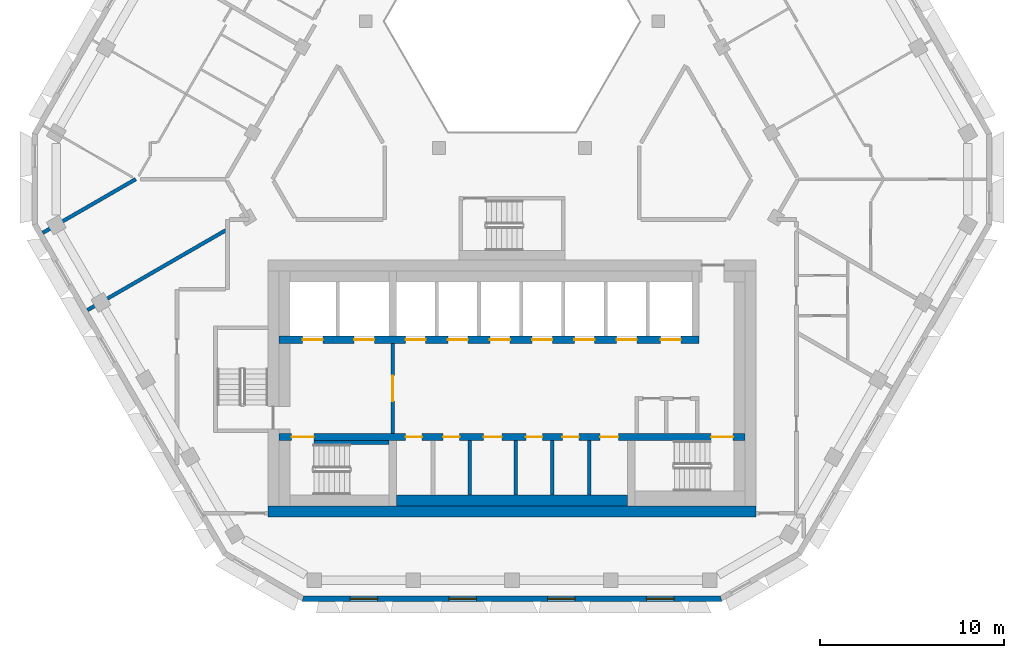
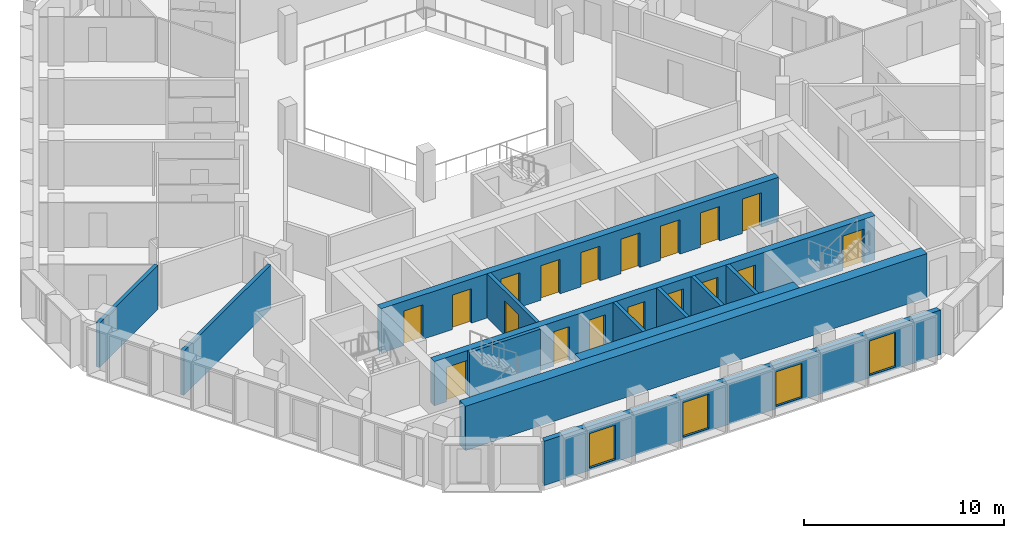
# One storey, part 3 of 15: 18 doors, 13 walls, 4 windows, 22 openings.
"""IFC4 building model written with IfcOpenShell, lengths in metres."""

from ifc_helpers import new_model, si_unit, direction, frame, frame_2d, origin, place, context, subcontext, project, spatial, polyline, rectangle, outline, extrude, material, layer, layer_set, type_object, element, fill, save


model = new_model("IFC4")

# Units and contexts
model_context = context("Model", 3, precision=1e-05, world=origin(), true_north=direction((0.0, 1.0)))
body_context = subcontext(model_context, "Body", "Model", "MODEL_VIEW")
ifc_project = project(units=[si_unit("LENGTHUNIT", "METRE"), si_unit("AREAUNIT", "SQUARE_METRE"), si_unit("VOLUMEUNIT", "CUBIC_METRE"), si_unit("PLANEANGLEUNIT", "RADIAN"), si_unit("MASSUNIT", "GRAM", prefix="KILO")], contexts=[model_context])

# Site, building, storey
site_placement = place(None, origin())
site = spatial("IfcSite", under=ifc_project, at=site_placement, CompositionType="ELEMENT")
building_placement = place(site_placement, origin())
building = spatial("IfcBuilding", under=site, at=building_placement, Name="Beryl Residences", CompositionType="ELEMENT")
storey_placement = place(building_placement, frame((0.0, 0.0, 169.199951171875)))
storey = spatial("IfcBuildingStorey", under=building, at=storey_placement, Name="L51", CompositionType="ELEMENT", Elevation=169.199951171875)

# Wall, openings, windows
ifc_material_1 = material(Name="Composite metal panel with mineral wool insulation")
ifc_layer_1 = layer(ifc_material_1, 0.300048828125)
ifc_layer_set_1 = layer_set([ifc_layer_1], Name="ES1 pale metal composite panel wall 300 mm")
wall_type_1 = type_object("IfcWallType", Name="ES1 pale metal composite panel wall 300 mm", PredefinedType="SOLIDWALL", material=ifc_layer_set_1)
wall_1_placement = place(storey_placement, frame((-11.430908203125, -23.449951171875, 0.0), z_axis=(0.0, 0.0, 1.0), x_axis=(1.0, 0.0, 0.0)))
wall_1 = element("IfcWall", 1, at=wall_1_placement, inside=storey, type_object=wall_type_1, Name="ES1 external wall L51 S", PredefinedType="SOLIDWALL", context=body_context, shape_type="SweptSolid", body=[
    extrude(outline(polyline([(0.0, -0.14990234375), (22.86181640625, -0.14990234375), (22.781494140625, 0.14990234375), (0.080322265625, 0.14990234375), (0.0, -0.14990234375)])), origin(), (0.0, 0.0, 1.0), 2.699951171875),
])
opening_1_placement = place(wall_1_placement, frame((2.60595703125, 0.0, 0.14990234375)))
opening_1 = element("IfcOpeningElement", 2, at=opening_1_placement, cuts=wall_1, Name="Opening W1", PredefinedType="OPENING", context=body_context, shape_type="SweptSolid", body=[
    extrude(rectangle(XDim=1.5, YDim=2.10009765625, at=frame_2d((0.75, 1.050048828125))), frame((0.0, 0.159912109375, 0.0), z_axis=(0.0, -1.0, 0.0), x_axis=(1.0, 0.0, 0.0)), (0.0, 0.0, 1.0), 0.320068359375),
])
opening_2_placement = place(wall_1_placement, frame((7.989990234375, 0.0, 0.14990234375)))
opening_2 = element("IfcOpeningElement", 3, at=opening_2_placement, cuts=wall_1, Name="Opening W1", PredefinedType="OPENING", context=body_context, shape_type="SweptSolid", body=[
    extrude(rectangle(XDim=1.5, YDim=2.10009765625, at=frame_2d((0.75, 1.050048828125))), frame((0.0, 0.159912109375, 0.0), z_axis=(0.0, -1.0, 0.0), x_axis=(1.0, 0.0, 0.0)), (0.0, 0.0, 1.0), 0.320068359375),
])
opening_3_placement = place(wall_1_placement, frame((13.3740234375, 0.0, 0.14990234375)))
opening_3 = element("IfcOpeningElement", 4, at=opening_3_placement, cuts=wall_1, Name="Opening W1", PredefinedType="OPENING", context=body_context, shape_type="SweptSolid", body=[
    extrude(rectangle(XDim=1.5, YDim=2.10009765625, at=frame_2d((0.75, 1.050048828125))), frame((0.0, 0.159912109375, 0.0), z_axis=(0.0, -1.0, 0.0), x_axis=(1.0, 0.0, 0.0)), (0.0, 0.0, 1.0), 0.320068359375),
])
opening_4_placement = place(wall_1_placement, frame((18.758056640625, 0.0, 0.14990234375)))
opening_4 = element("IfcOpeningElement", 5, at=opening_4_placement, cuts=wall_1, Name="Opening W1", PredefinedType="OPENING", context=body_context, shape_type="SweptSolid", body=[
    extrude(rectangle(XDim=1.5, YDim=2.10009765625, at=frame_2d((0.75, 1.050048828125))), frame((0.0, 0.159912109375, 0.0), z_axis=(0.0, -1.0, 0.0), x_axis=(1.0, 0.0, 0.0)), (0.0, 0.0, 1.0), 0.320068359375),
])
ifc_material_2 = material(Name="Aluminium and clear glass", Category="aluminium")
window_type = type_object("IfcWindowType", Name="W1 cell window 1500 x 2100 mm", PartitioningType="SINGLE_PANEL", PredefinedType="WINDOW", material=ifc_material_2)
window_1_placement = place(opening_1_placement, origin())
window_1 = element("IfcWindow", 6, at=window_1_placement, inside=storey, type_object=window_type, Name="W1 window L51 S 2", OverallHeight=2.10009765625, OverallWidth=1.5, PartitioningType="SINGLE_PANEL", PredefinedType="WINDOW", context=body_context, shape_type="SweptSolid", body=[
    extrude(rectangle(XDim=1.5, YDim=2.10009765625, at=frame_2d((0.75, 1.050048828125))), frame((0.0, 0.030029296875, 0.0), z_axis=(0.0, -1.0, 0.0), x_axis=(1.0, 0.0, 0.0)), (0.0, 0.0, 1.0), 0.06005859375),
])
fill(opening_1, window_1)
window_2_placement = place(opening_2_placement, origin())
window_2 = element("IfcWindow", 7, at=window_2_placement, inside=storey, type_object=window_type, Name="W1 window L51 S 4", OverallHeight=2.10009765625, OverallWidth=1.5, PartitioningType="SINGLE_PANEL", PredefinedType="WINDOW", context=body_context, shape_type="SweptSolid", body=[
    extrude(rectangle(XDim=1.5, YDim=2.10009765625, at=frame_2d((0.75, 1.050048828125))), frame((0.0, 0.030029296875, 0.0), z_axis=(0.0, -1.0, 0.0), x_axis=(1.0, 0.0, 0.0)), (0.0, 0.0, 1.0), 0.06005859375),
])
fill(opening_2, window_2)
window_3_placement = place(opening_3_placement, origin())
window_3 = element("IfcWindow", 8, at=window_3_placement, inside=storey, type_object=window_type, Name="W1 window L51 S 6", OverallHeight=2.10009765625, OverallWidth=1.5, PartitioningType="SINGLE_PANEL", PredefinedType="WINDOW", context=body_context, shape_type="SweptSolid", body=[
    extrude(rectangle(XDim=1.5, YDim=2.10009765625, at=frame_2d((0.75, 1.050048828125))), frame((0.0, 0.030029296875, 0.0), z_axis=(0.0, -1.0, 0.0), x_axis=(1.0, 0.0, 0.0)), (0.0, 0.0, 1.0), 0.06005859375),
])
fill(opening_3, window_3)
window_4_placement = place(opening_4_placement, origin())
window_4 = element("IfcWindow", 9, at=window_4_placement, inside=storey, type_object=window_type, Name="W1 window L51 S 8", OverallHeight=2.10009765625, OverallWidth=1.5, PartitioningType="SINGLE_PANEL", PredefinedType="WINDOW", context=body_context, shape_type="SweptSolid", body=[
    extrude(rectangle(XDim=1.5, YDim=2.10009765625, at=frame_2d((0.75, 1.050048828125))), frame((0.0, 0.030029296875, 0.0), z_axis=(0.0, -1.0, 0.0), x_axis=(1.0, 0.0, 0.0)), (0.0, 0.0, 1.0), 0.06005859375),
])
fill(opening_4, window_4)

# Wall, opening, door
ifc_material_3 = material(Name="Concrete masonry", Category="masonry")
ifc_layer_2 = layer(ifc_material_3, 0.199951171875)
ifc_layer_set_2 = layer_set([ifc_layer_2], Name="PT13 lobby wall 200 mm")
wall_type_2 = type_object("IfcWallType", Name="PT13 lobby wall 200 mm", PredefinedType="PARTITIONING", material=ifc_layer_set_2)
wall_2_placement = place(storey_placement, frame((-6.5, -14.449951171875, 0.0), z_axis=(0.0, 0.0, 1.0), x_axis=(0.0, 1.0, 0.0)))
wall_2 = element("IfcWall", 10, at=wall_2_placement, inside=storey, type_object=wall_type_2, Name="Lobby wall 12", PredefinedType="PARTITIONING", context=body_context, shape_type="SweptSolid", body=[
    extrude(rectangle(XDim=4.89990234375, YDim=0.199951171875, at=frame_2d((2.449951171875, 0.0))), origin(), (0.0, 0.0, 1.0), 2.699951171875),
])
opening_5_placement = place(wall_2_placement, frame((3.14990234375, 0.0, 0.0), z_axis=(0.0, 0.0, 1.0), x_axis=(-1.0, 0.0, 0.0)))
opening_5 = element("IfcOpeningElement", 11, at=opening_5_placement, cuts=wall_2, Name="Opening FD-FFL", PredefinedType="OPENING", context=body_context, shape_type="SweptSolid", body=[
    extrude(rectangle(XDim=1.39990234375, YDim=2.10009765625, at=frame_2d((0.699951171875, 1.050048828125))), frame((0.0, 0.10986328125, 0.0), z_axis=(0.0, -1.0, 0.0), x_axis=(1.0, 0.0, 0.0)), (0.0, 0.0, 1.0), 0.219970703125),
])
ifc_material_4 = material(Name="Steel door leaf in steel frame", Category="steel")
door_type_1 = type_object("IfcDoorType", Name="D5 lobby door 1400 x 2100 mm", OperationType="DOUBLE_DOOR_SINGLE_SWING", PredefinedType="DOOR", material=ifc_material_4)
door_1_placement = place(opening_5_placement, origin())
door_1 = element("IfcDoor", 12, at=door_1_placement, inside=storey, type_object=door_type_1, Name="Door FD-FFL L51 001", OperationType="DOUBLE_DOOR_SINGLE_SWING", OverallHeight=2.10009765625, OverallWidth=1.39990234375, PredefinedType="DOOR", context=body_context, shape_type="SweptSolid", body=[
    extrude(rectangle(XDim=1.39990234375, YDim=2.10009765625, at=frame_2d((0.699951171875, 1.050048828125))), frame((0.0, 0.02490234375, 0.0), z_axis=(0.0, -1.0, 0.0), x_axis=(1.0, 0.0, 0.0)), (0.0, 0.0, 1.0), 0.050048828125),
])
fill(opening_5, door_1)

# Walls
ifc_material_5 = material(Name="Acoustic double stud gypsum board wall")
ifc_layer_3 = layer(ifc_material_5, 0.199951171875)
ifc_layer_set_3 = layer_set([ifc_layer_3], Name="PT3 party wall 200 mm acoustic double stud")
wall_type_3 = type_object("IfcWallType", Name="PT3 party wall 200 mm acoustic double stud", PredefinedType="PARTITIONING", material=ifc_layer_set_3)
wall_3_placement = place(storey_placement, frame((-23.1298828125, -7.737060546875, 0.0), z_axis=(0.0, 0.0, 1.0), x_axis=(0.86598451299, 0.500070818246, 0.0)))
element("IfcWall", 13, at=wall_3_placement, inside=storey, type_object=wall_type_3, Name="Wall PT3 L51 010", PredefinedType="PARTITIONING", context=body_context, shape_type="SweptSolid", body=[
    extrude(rectangle(XDim=8.695068359375, YDim=0.199951171875, at=frame_2d((4.34765625, 0.0))), origin(), (0.0, 0.0, 1.0), 2.699951171875),
])
wall_4_placement = place(storey_placement, frame((-25.56298828125, -3.52392578125, 0.0), z_axis=(0.0, 0.0, 1.0), x_axis=(0.866128586522, 0.499821239653, 0.0)))
element("IfcWall", 14, at=wall_4_placement, inside=storey, type_object=wall_type_3, Name="Wall PT3 L51 011", PredefinedType="PARTITIONING", context=body_context, shape_type="SweptSolid", body=[
    extrude(rectangle(XDim=5.847900390625, YDim=0.199951171875, at=frame_2d((2.923828125, 0.0))), origin(), (0.0, 0.0, 1.0), 2.699951171875),
])
ifc_material_6 = material(Name="Concrete C40/50", Category="concrete")
ifc_layer_4 = layer(ifc_material_6, 0.199951171875)
ifc_layer_set_4 = layer_set([ifc_layer_4], Name="PT5 stair enclosure wall 200 mm reinforced concrete C40/50")
wall_type_4 = type_object("IfcWallType", Name="PT5 stair enclosure wall 200 mm reinforced concrete C40/50", PredefinedType="SOLIDWALL", material=ifc_layer_set_4)
wall_5_placement = place(storey_placement, frame((-10.800048828125, -14.949951171875, 0.0), z_axis=(0.0, 0.0, 1.0), x_axis=(1.0, 0.0, 0.0)))
element("IfcWall", 15, at=wall_5_placement, inside=storey, type_object=wall_type_4, Name="Stair wall 10", PredefinedType="SOLIDWALL", context=body_context, shape_type="SweptSolid", body=[
    extrude(rectangle(XDim=4.10009765625, YDim=0.199951171875, at=frame_2d((2.050048828125, 0.0))), origin(), (0.0, 0.0, 1.0), 2.699951171875),
])
ifc_material_7 = material(Name="Concrete masonry", Category="masonry")
ifc_layer_5 = layer(ifc_material_7, 0.199951171875)
ifc_layer_set_5 = layer_set([ifc_layer_5], Name="PT8-200 service room wall 200 mm")
wall_type_5 = type_object("IfcWallType", Name="PT8-200 service room wall 200 mm", PredefinedType="PARTITIONING", material=ifc_layer_set_5)
for number, where, z_axis, x_axis, name in (
    (16, (-2.300048828125, -17.800048828125, 0.0), (0.0, 0.0, 1.0), (0.0, 1.0, 0.0), "Core room wall 17"),
    (17, (0.199951171875, -17.800048828125, 0.0), (0.0, 0.0, 1.0), (0.0, 1.0, 0.0), "Core room wall 19"),
    (18, (2.199951171875, -17.800048828125, 0.0), (0.0, 0.0, 1.0), (0.0, 1.0, 0.0), "Core room wall 21"),
    (19, (4.199951171875, -17.800048828125, 0.0), (0.0, 0.0, 1.0), (0.0, 1.0, 0.0), "Core room wall 23"),
):
    element("IfcWall", number, at=place(storey_placement, frame(where, z_axis=z_axis, x_axis=x_axis)), inside=storey, type_object=wall_type_5, Name=name, PredefinedType="PARTITIONING", context=body_context, shape_type="SweptSolid", body=[
        extrude(rectangle(XDim=2.949951171875, YDim=0.199951171875, at=frame_2d((1.47509765625, 0.0))), origin(), (0.0, 0.0, 1.0), 2.699951171875),
    ])
ifc_material_8 = material(Name="Concrete masonry", Category="masonry")
ifc_layer_6 = layer(ifc_material_8, 0.60009765625)
ifc_layer_set_6 = layer_set([ifc_layer_6], Name="PT8-600 service room wall 600 mm")
wall_type_6 = type_object("IfcWallType", Name="PT8-600 service room wall 600 mm", PredefinedType="PARTITIONING", material=ifc_layer_set_6)
wall_6_placement = place(storey_placement, frame((-6.300048828125, -18.10009765625, 0.0), z_axis=(0.0, 0.0, 1.0), x_axis=(1.0, 0.0, 0.0)))
element("IfcWall", 20, at=wall_6_placement, inside=storey, type_object=wall_type_6, Name="Core room wall 13", PredefinedType="PARTITIONING", context=body_context, shape_type="SweptSolid", body=[
    extrude(rectangle(XDim=12.60009765625, YDim=0.60009765625, at=frame_2d((6.300048828125, 0.0))), origin(), (0.0, 0.0, 1.0), 2.699951171875),
])
ifc_material_9 = material(Name="Concrete C50/60", Category="concrete")
ifc_layer_7 = layer(ifc_material_9, 0.60009765625)
ifc_layer_set_7 = layer_set([ifc_layer_7], Name="SW4 core outer wall 600 mm C50/60")
wall_type_7 = type_object("IfcWallType", Name="SW4 core outer wall 600 mm C50/60", PredefinedType="SHEAR", material=ifc_layer_set_7)
wall_7_placement = place(storey_placement, frame((-13.300048828125, -18.699951171875, 0.0), z_axis=(0.0, 0.0, 1.0), x_axis=(1.0, 0.0, 0.0)))
element("IfcWall", 21, at=wall_7_placement, inside=storey, type_object=wall_type_7, Name="Core wall S L51", PredefinedType="SHEAR", context=body_context, shape_type="SweptSolid", body=[
    extrude(rectangle(XDim=26.60009765625, YDim=0.60009765625, at=frame_2d((13.300048828125, 0.0))), origin(), (0.0, 0.0, 1.0), 2.699951171875),
])

# Wall, openings, doors
ifc_material_10 = material(Name="Concrete C50/60", Category="concrete")
ifc_layer_8 = layer(ifc_material_10, 0.39990234375)
ifc_layer_set_8 = layer_set([ifc_layer_8], Name="SW9 core internal wall 400 mm C50/60")
wall_type_8 = type_object("IfcWallType", Name="SW9 core internal wall 400 mm C50/60", PredefinedType="SHEAR", material=ifc_layer_set_8)
wall_8_placement = place(storey_placement, frame((-12.699951171875, -14.64990234375, 0.0), z_axis=(0.0, 0.0, 1.0), x_axis=(1.0, 0.0, 0.0)))
wall_8 = element("IfcWall", 22, at=wall_8_placement, inside=storey, type_object=wall_type_8, Name="Core wall SP1 L51", PredefinedType="SHEAR", context=body_context, shape_type="SweptSolid", body=[
    extrude(rectangle(XDim=25.39990234375, YDim=0.39990234375, at=frame_2d((12.699951171875, 0.0))), origin(), (0.0, 0.0, 1.0), 2.699951171875),
])
opening_6_placement = place(wall_8_placement, frame((1.89990234375, 0.0, 0.0), z_axis=(0.0, 0.0, 1.0), x_axis=(-1.0, 0.0, 0.0)))
opening_6 = element("IfcOpeningElement", 23, at=opening_6_placement, cuts=wall_8, Name="Opening SD-1", PredefinedType="OPENING", context=body_context, shape_type="SweptSolid", body=[
    extrude(rectangle(XDim=1.199951171875, YDim=2.10009765625, at=frame_2d((0.60009765625, 1.050048828125))), frame((0.0, 0.2099609375, 0.0), z_axis=(0.0, -1.0, 0.0), x_axis=(1.0, 0.0, 0.0)), (0.0, 0.0, 1.0), 0.419921875),
])
opening_7_placement = place(wall_8_placement, frame((24.75, 0.0, 0.0), z_axis=(0.0, 0.0, 1.0), x_axis=(-1.0, 0.0, 0.0)))
opening_7 = element("IfcOpeningElement", 24, at=opening_7_placement, cuts=wall_8, Name="Opening SD-3", PredefinedType="OPENING", context=body_context, shape_type="SweptSolid", body=[
    extrude(rectangle(XDim=1.199951171875, YDim=2.10009765625, at=frame_2d((0.60009765625, 1.050048828125))), frame((0.0, 0.2099609375, 0.0), z_axis=(0.0, -1.0, 0.0), x_axis=(1.0, 0.0, 0.0)), (0.0, 0.0, 1.0), 0.419921875),
])
opening_8_placement = place(wall_8_placement, frame((7.7998046875, 0.0, 0.0), z_axis=(0.0, 0.0, 1.0), x_axis=(-1.0, 0.0, 0.0)))
opening_8 = element("IfcOpeningElement", 25, at=opening_8_placement, cuts=wall_8, Name="Opening CD-D-S1-900", PredefinedType="OPENING", context=body_context, shape_type="SweptSolid", body=[
    extrude(rectangle(XDim=0.89990234375, YDim=2.10009765625, at=frame_2d((0.449951171875, 1.050048828125))), frame((0.0, 0.2099609375, 0.0), z_axis=(0.0, -1.0, 0.0), x_axis=(1.0, 0.0, 0.0)), (0.0, 0.0, 1.0), 0.419921875),
])
opening_9_placement = place(wall_8_placement, frame((9.849853515625, 0.0, 0.0), z_axis=(0.0, 0.0, 1.0), x_axis=(-1.0, 0.0, 0.0)))
opening_9 = element("IfcOpeningElement", 26, at=opening_9_placement, cuts=wall_8, Name="Opening CD-D-S2-900", PredefinedType="OPENING", context=body_context, shape_type="SweptSolid", body=[
    extrude(rectangle(XDim=0.89990234375, YDim=2.10009765625, at=frame_2d((0.449951171875, 1.050048828125))), frame((0.0, 0.2099609375, 0.0), z_axis=(0.0, -1.0, 0.0), x_axis=(1.0, 0.0, 0.0)), (0.0, 0.0, 1.0), 0.419921875),
])
opening_10_placement = place(wall_8_placement, frame((12.14990234375, 0.0, 0.0), z_axis=(0.0, 0.0, 1.0), x_axis=(-1.0, 0.0, 0.0)))
opening_10 = element("IfcOpeningElement", 27, at=opening_10_placement, cuts=wall_8, Name="Opening CD-D-S3", PredefinedType="OPENING", context=body_context, shape_type="SweptSolid", body=[
    extrude(rectangle(XDim=1.0, YDim=2.10009765625, at=frame_2d((0.5, 1.050048828125))), frame((0.0, 0.2099609375, 0.0), z_axis=(0.0, -1.0, 0.0), x_axis=(1.0, 0.0, 0.0)), (0.0, 0.0, 1.0), 0.419921875),
])
opening_11_placement = place(wall_8_placement, frame((14.349853515625, 0.0, 0.0), z_axis=(0.0, 0.0, 1.0), x_axis=(-1.0, 0.0, 0.0)))
opening_11 = element("IfcOpeningElement", 28, at=opening_11_placement, cuts=wall_8, Name="Opening CD-D-S4-900", PredefinedType="OPENING", context=body_context, shape_type="SweptSolid", body=[
    extrude(rectangle(XDim=0.89990234375, YDim=2.10009765625, at=frame_2d((0.449951171875, 1.050048828125))), frame((0.0, 0.2099609375, 0.0), z_axis=(0.0, -1.0, 0.0), x_axis=(1.0, 0.0, 0.0)), (0.0, 0.0, 1.0), 0.419921875),
])
opening_12_placement = place(wall_8_placement, frame((16.349853515625, 0.0, 0.0), z_axis=(0.0, 0.0, 1.0), x_axis=(-1.0, 0.0, 0.0)))
opening_12 = element("IfcOpeningElement", 29, at=opening_12_placement, cuts=wall_8, Name="Opening CD-D-S5-900", PredefinedType="OPENING", context=body_context, shape_type="SweptSolid", body=[
    extrude(rectangle(XDim=0.89990234375, YDim=2.10009765625, at=frame_2d((0.449951171875, 1.050048828125))), frame((0.0, 0.2099609375, 0.0), z_axis=(0.0, -1.0, 0.0), x_axis=(1.0, 0.0, 0.0)), (0.0, 0.0, 1.0), 0.419921875),
])
opening_13_placement = place(wall_8_placement, frame((18.5, 0.0, 0.0), z_axis=(0.0, 0.0, 1.0), x_axis=(-1.0, 0.0, 0.0)))
opening_13 = element("IfcOpeningElement", 30, at=opening_13_placement, cuts=wall_8, Name="Opening CD-D-S6", PredefinedType="OPENING", context=body_context, shape_type="SweptSolid", body=[
    extrude(rectangle(XDim=1.0, YDim=2.10009765625, at=frame_2d((0.5, 1.050048828125))), frame((0.0, 0.2099609375, 0.0), z_axis=(0.0, -1.0, 0.0), x_axis=(1.0, 0.0, 0.0)), (0.0, 0.0, 1.0), 0.419921875),
])
ifc_material_11 = material(Name="Steel door leaf in steel frame", Category="steel")
door_type_2 = type_object("IfcDoorType", Name="D18 service room door 1000 x 2100 mm", OperationType="SINGLE_SWING_LEFT", PredefinedType="DOOR", material=ifc_material_11)
door_2_placement = place(opening_10_placement, origin())
door_2 = element("IfcDoor", 31, at=door_2_placement, inside=storey, type_object=door_type_2, Name="Door CD-D-S3 L51 001", OperationType="SINGLE_SWING_RIGHT", OverallHeight=2.10009765625, OverallWidth=1.0, PredefinedType="DOOR", context=body_context, shape_type="SweptSolid", body=[
    extrude(rectangle(XDim=1.0, YDim=2.10009765625, at=frame_2d((0.5, 1.050048828125))), frame((0.0, 0.02490234375, 0.0), z_axis=(0.0, -1.0, 0.0), x_axis=(1.0, 0.0, 0.0)), (0.0, 0.0, 1.0), 0.050048828125),
])
fill(opening_10, door_2)
door_3_placement = place(opening_13_placement, origin())
door_3 = element("IfcDoor", 32, at=door_3_placement, inside=storey, type_object=door_type_2, Name="Door CD-D-S6 L51 001", OperationType="SINGLE_SWING_LEFT", OverallHeight=2.10009765625, OverallWidth=1.0, PredefinedType="DOOR", context=body_context, shape_type="SweptSolid", body=[
    extrude(rectangle(XDim=1.0, YDim=2.10009765625, at=frame_2d((0.5, 1.050048828125))), frame((0.0, 0.02490234375, 0.0), z_axis=(0.0, -1.0, 0.0), x_axis=(1.0, 0.0, 0.0)), (0.0, 0.0, 1.0), 0.050048828125),
])
fill(opening_13, door_3)
ifc_material_12 = material(Name="Steel door leaf in steel frame", Category="steel")
door_type_3 = type_object("IfcDoorType", Name="D4 stair door 1200 x 2100 mm", OperationType="SINGLE_SWING_LEFT", PredefinedType="DOOR", material=ifc_material_12)
door_4_placement = place(opening_6_placement, origin())
door_4 = element("IfcDoor", 33, at=door_4_placement, inside=storey, type_object=door_type_3, Name="Door SD-1 L51 001", OperationType="SINGLE_SWING_RIGHT", OverallHeight=2.10009765625, OverallWidth=1.199951171875, PredefinedType="DOOR", context=body_context, shape_type="SweptSolid", body=[
    extrude(rectangle(XDim=1.199951171875, YDim=2.10009765625, at=frame_2d((0.60009765625, 1.050048828125))), frame((0.0, 0.02490234375, 0.0), z_axis=(0.0, -1.0, 0.0), x_axis=(1.0, 0.0, 0.0)), (0.0, 0.0, 1.0), 0.050048828125),
])
fill(opening_6, door_4)
door_5_placement = place(opening_7_placement, origin())
door_5 = element("IfcDoor", 34, at=door_5_placement, inside=storey, type_object=door_type_3, Name="Door SD-3 L51 001", OperationType="SINGLE_SWING_RIGHT", OverallHeight=2.10009765625, OverallWidth=1.199951171875, PredefinedType="DOOR", context=body_context, shape_type="SweptSolid", body=[
    extrude(rectangle(XDim=1.199951171875, YDim=2.10009765625, at=frame_2d((0.60009765625, 1.050048828125))), frame((0.0, 0.02490234375, 0.0), z_axis=(0.0, -1.0, 0.0), x_axis=(1.0, 0.0, 0.0)), (0.0, 0.0, 1.0), 0.050048828125),
])
fill(opening_7, door_5)
ifc_material_13 = material(Name="Steel door leaf in steel frame", Category="steel")
door_type_4 = type_object("IfcDoorType", Name="D6 service room door 900 x 2100 mm", OperationType="SINGLE_SWING_LEFT", PredefinedType="DOOR", material=ifc_material_13)
door_6_placement = place(opening_8_placement, origin())
door_6 = element("IfcDoor", 35, at=door_6_placement, inside=storey, type_object=door_type_4, Name="Door CD-D-S1-900 L51 001", OperationType="SINGLE_SWING_RIGHT", OverallHeight=2.10009765625, OverallWidth=0.89990234375, PredefinedType="DOOR", context=body_context, shape_type="SweptSolid", body=[
    extrude(rectangle(XDim=0.89990234375, YDim=2.10009765625, at=frame_2d((0.449951171875, 1.050048828125))), frame((0.0, 0.02490234375, 0.0), z_axis=(0.0, -1.0, 0.0), x_axis=(1.0, 0.0, 0.0)), (0.0, 0.0, 1.0), 0.050048828125),
])
fill(opening_8, door_6)
door_7_placement = place(opening_9_placement, origin())
door_7 = element("IfcDoor", 36, at=door_7_placement, inside=storey, type_object=door_type_4, Name="Door CD-D-S2-900 L51 001", OperationType="SINGLE_SWING_LEFT", OverallHeight=2.10009765625, OverallWidth=0.89990234375, PredefinedType="DOOR", context=body_context, shape_type="SweptSolid", body=[
    extrude(rectangle(XDim=0.89990234375, YDim=2.10009765625, at=frame_2d((0.449951171875, 1.050048828125))), frame((0.0, 0.02490234375, 0.0), z_axis=(0.0, -1.0, 0.0), x_axis=(1.0, 0.0, 0.0)), (0.0, 0.0, 1.0), 0.050048828125),
])
fill(opening_9, door_7)
door_8_placement = place(opening_11_placement, origin())
door_8 = element("IfcDoor", 37, at=door_8_placement, inside=storey, type_object=door_type_4, Name="Door CD-D-S4-900 L51 001", OperationType="SINGLE_SWING_LEFT", OverallHeight=2.10009765625, OverallWidth=0.89990234375, PredefinedType="DOOR", context=body_context, shape_type="SweptSolid", body=[
    extrude(rectangle(XDim=0.89990234375, YDim=2.10009765625, at=frame_2d((0.449951171875, 1.050048828125))), frame((0.0, 0.02490234375, 0.0), z_axis=(0.0, -1.0, 0.0), x_axis=(1.0, 0.0, 0.0)), (0.0, 0.0, 1.0), 0.050048828125),
])
fill(opening_11, door_8)
door_9_placement = place(opening_12_placement, origin())
door_9 = element("IfcDoor", 38, at=door_9_placement, inside=storey, type_object=door_type_4, Name="Door CD-D-S5-900 L51 001", OperationType="SINGLE_SWING_RIGHT", OverallHeight=2.10009765625, OverallWidth=0.89990234375, PredefinedType="DOOR", context=body_context, shape_type="SweptSolid", body=[
    extrude(rectangle(XDim=0.89990234375, YDim=2.10009765625, at=frame_2d((0.449951171875, 1.050048828125))), frame((0.0, 0.02490234375, 0.0), z_axis=(0.0, -1.0, 0.0), x_axis=(1.0, 0.0, 0.0)), (0.0, 0.0, 1.0), 0.050048828125),
])
fill(opening_12, door_9)

wall_9_placement = place(storey_placement, frame((-12.699951171875, -9.35009765625, 0.0), z_axis=(0.0, 0.0, 1.0), x_axis=(1.0, 0.0, 0.0)))
wall_9 = element("IfcWall", 39, at=wall_9_placement, inside=storey, type_object=wall_type_8, Name="Core wall SP2 L51", PredefinedType="SHEAR", context=body_context, shape_type="SweptSolid", body=[
    extrude(rectangle(XDim=22.89990234375, YDim=0.39990234375, at=frame_2d((11.449951171875, 0.0))), origin(), (0.0, 0.0, 1.0), 2.699951171875),
])
opening_14_placement = place(wall_9_placement, frame((1.300048828125, 0.0, 0.0)))
opening_14 = element("IfcOpeningElement", 40, at=opening_14_placement, cuts=wall_9, Name="Opening LD-FF1", PredefinedType="OPENING", context=body_context, shape_type="SweptSolid", body=[
    extrude(rectangle(XDim=1.10009765625, YDim=2.10009765625, at=frame_2d((0.550048828125, 1.050048828125))), frame((0.0, 0.2099609375, 0.0), z_axis=(0.0, -1.0, 0.0), x_axis=(1.0, 0.0, 0.0)), (0.0, 0.0, 1.0), 0.419921875),
])
opening_15_placement = place(wall_9_placement, frame((4.10009765625, 0.0, 0.0)))
opening_15 = element("IfcOpeningElement", 41, at=opening_15_placement, cuts=wall_9, Name="Opening LD-FF2", PredefinedType="OPENING", context=body_context, shape_type="SweptSolid", body=[
    extrude(rectangle(XDim=1.10009765625, YDim=2.10009765625, at=frame_2d((0.550048828125, 1.050048828125))), frame((0.0, 0.2099609375, 0.0), z_axis=(0.0, -1.0, 0.0), x_axis=(1.0, 0.0, 0.0)), (0.0, 0.0, 1.0), 0.419921875),
])
opening_16_placement = place(wall_9_placement, frame((6.89990234375, 0.0, 0.0)))
opening_16 = element("IfcOpeningElement", 42, at=opening_16_placement, cuts=wall_9, Name="Opening LD-HR1", PredefinedType="OPENING", context=body_context, shape_type="SweptSolid", body=[
    extrude(rectangle(XDim=1.10009765625, YDim=2.10009765625, at=frame_2d((0.550048828125, 1.050048828125))), frame((0.0, 0.2099609375, 0.0), z_axis=(0.0, -1.0, 0.0), x_axis=(1.0, 0.0, 0.0)), (0.0, 0.0, 1.0), 0.419921875),
])
opening_17_placement = place(wall_9_placement, frame((9.199951171875, 0.0, 0.0)))
opening_17 = element("IfcOpeningElement", 43, at=opening_17_placement, cuts=wall_9, Name="Opening LD-HR2", PredefinedType="OPENING", context=body_context, shape_type="SweptSolid", body=[
    extrude(rectangle(XDim=1.10009765625, YDim=2.10009765625, at=frame_2d((0.550048828125, 1.050048828125))), frame((0.0, 0.2099609375, 0.0), z_axis=(0.0, -1.0, 0.0), x_axis=(1.0, 0.0, 0.0)), (0.0, 0.0, 1.0), 0.419921875),
])
opening_18_placement = place(wall_9_placement, frame((11.5, 0.0, 0.0)))
opening_18 = element("IfcOpeningElement", 44, at=opening_18_placement, cuts=wall_9, Name="Opening LD-HR3", PredefinedType="OPENING", context=body_context, shape_type="SweptSolid", body=[
    extrude(rectangle(XDim=1.10009765625, YDim=2.10009765625, at=frame_2d((0.550048828125, 1.050048828125))), frame((0.0, 0.2099609375, 0.0), z_axis=(0.0, -1.0, 0.0), x_axis=(1.0, 0.0, 0.0)), (0.0, 0.0, 1.0), 0.419921875),
])
opening_19_placement = place(wall_9_placement, frame((13.800048828125, 0.0, 0.0)))
opening_19 = element("IfcOpeningElement", 45, at=opening_19_placement, cuts=wall_9, Name="Opening LD-HR4", PredefinedType="OPENING", context=body_context, shape_type="SweptSolid", body=[
    extrude(rectangle(XDim=1.10009765625, YDim=2.10009765625, at=frame_2d((0.550048828125, 1.050048828125))), frame((0.0, 0.2099609375, 0.0), z_axis=(0.0, -1.0, 0.0), x_axis=(1.0, 0.0, 0.0)), (0.0, 0.0, 1.0), 0.419921875),
])
opening_20_placement = place(wall_9_placement, frame((16.10009765625, 0.0, 0.0)))
opening_20 = element("IfcOpeningElement", 46, at=opening_20_placement, cuts=wall_9, Name="Opening LD-HR5", PredefinedType="OPENING", context=body_context, shape_type="SweptSolid", body=[
    extrude(rectangle(XDim=1.10009765625, YDim=2.10009765625, at=frame_2d((0.550048828125, 1.050048828125))), frame((0.0, 0.2099609375, 0.0), z_axis=(0.0, -1.0, 0.0), x_axis=(1.0, 0.0, 0.0)), (0.0, 0.0, 1.0), 0.419921875),
])
opening_21_placement = place(wall_9_placement, frame((18.39990234375, 0.0, 0.0)))
opening_21 = element("IfcOpeningElement", 47, at=opening_21_placement, cuts=wall_9, Name="Opening LD-HR6", PredefinedType="OPENING", context=body_context, shape_type="SweptSolid", body=[
    extrude(rectangle(XDim=1.10009765625, YDim=2.10009765625, at=frame_2d((0.550048828125, 1.050048828125))), frame((0.0, 0.2099609375, 0.0), z_axis=(0.0, -1.0, 0.0), x_axis=(1.0, 0.0, 0.0)), (0.0, 0.0, 1.0), 0.419921875),
])
opening_22_placement = place(wall_9_placement, frame((20.800048828125, 0.0, 0.0)))
opening_22 = element("IfcOpeningElement", 48, at=opening_22_placement, cuts=wall_9, Name="Opening LD-SL1", PredefinedType="OPENING", context=body_context, shape_type="SweptSolid", body=[
    extrude(rectangle(XDim=1.10009765625, YDim=2.10009765625, at=frame_2d((0.550048828125, 1.050048828125))), frame((0.0, 0.2099609375, 0.0), z_axis=(0.0, -1.0, 0.0), x_axis=(1.0, 0.0, 0.0)), (0.0, 0.0, 1.0), 0.419921875),
])
ifc_material_14 = material(Name="Stainless steel sliding door", Category="steel")
door_type_5 = type_object("IfcDoorType", Name="LD1 lift landing door 1100 x 2100 mm", OperationType="DOUBLE_DOOR_SLIDING", PredefinedType="DOOR", material=ifc_material_14)
door_10_placement = place(opening_14_placement, origin())
door_10 = element("IfcDoor", 49, at=door_10_placement, inside=storey, type_object=door_type_5, Name="Lift landing door FF1", OperationType="DOUBLE_DOOR_SLIDING", OverallHeight=2.10009765625, OverallWidth=1.10009765625, PredefinedType="DOOR", context=body_context, shape_type="SweptSolid", body=[
    extrude(rectangle(XDim=1.10009765625, YDim=2.10009765625, at=frame_2d((0.550048828125, 1.050048828125))), frame((0.0, 0.02490234375, 0.0), z_axis=(0.0, -1.0, 0.0), x_axis=(1.0, 0.0, 0.0)), (0.0, 0.0, 1.0), 0.050048828125),
])
fill(opening_14, door_10)
door_11_placement = place(opening_15_placement, origin())
door_11 = element("IfcDoor", 50, at=door_11_placement, inside=storey, type_object=door_type_5, Name="Lift landing door FF2", OperationType="DOUBLE_DOOR_SLIDING", OverallHeight=2.10009765625, OverallWidth=1.10009765625, PredefinedType="DOOR", context=body_context, shape_type="SweptSolid", body=[
    extrude(rectangle(XDim=1.10009765625, YDim=2.10009765625, at=frame_2d((0.550048828125, 1.050048828125))), frame((0.0, 0.02490234375, 0.0), z_axis=(0.0, -1.0, 0.0), x_axis=(1.0, 0.0, 0.0)), (0.0, 0.0, 1.0), 0.050048828125),
])
fill(opening_15, door_11)
door_12_placement = place(opening_16_placement, origin())
door_12 = element("IfcDoor", 51, at=door_12_placement, inside=storey, type_object=door_type_5, Name="Lift landing door HR1", OperationType="DOUBLE_DOOR_SLIDING", OverallHeight=2.10009765625, OverallWidth=1.10009765625, PredefinedType="DOOR", context=body_context, shape_type="SweptSolid", body=[
    extrude(rectangle(XDim=1.10009765625, YDim=2.10009765625, at=frame_2d((0.550048828125, 1.050048828125))), frame((0.0, 0.02490234375, 0.0), z_axis=(0.0, -1.0, 0.0), x_axis=(1.0, 0.0, 0.0)), (0.0, 0.0, 1.0), 0.050048828125),
])
fill(opening_16, door_12)
door_13_placement = place(opening_17_placement, origin())
door_13 = element("IfcDoor", 52, at=door_13_placement, inside=storey, type_object=door_type_5, Name="Lift landing door HR2", OperationType="DOUBLE_DOOR_SLIDING", OverallHeight=2.10009765625, OverallWidth=1.10009765625, PredefinedType="DOOR", context=body_context, shape_type="SweptSolid", body=[
    extrude(rectangle(XDim=1.10009765625, YDim=2.10009765625, at=frame_2d((0.550048828125, 1.050048828125))), frame((0.0, 0.02490234375, 0.0), z_axis=(0.0, -1.0, 0.0), x_axis=(1.0, 0.0, 0.0)), (0.0, 0.0, 1.0), 0.050048828125),
])
fill(opening_17, door_13)
door_14_placement = place(opening_18_placement, origin())
door_14 = element("IfcDoor", 53, at=door_14_placement, inside=storey, type_object=door_type_5, Name="Lift landing door HR3", OperationType="DOUBLE_DOOR_SLIDING", OverallHeight=2.10009765625, OverallWidth=1.10009765625, PredefinedType="DOOR", context=body_context, shape_type="SweptSolid", body=[
    extrude(rectangle(XDim=1.10009765625, YDim=2.10009765625, at=frame_2d((0.550048828125, 1.050048828125))), frame((0.0, 0.02490234375, 0.0), z_axis=(0.0, -1.0, 0.0), x_axis=(1.0, 0.0, 0.0)), (0.0, 0.0, 1.0), 0.050048828125),
])
fill(opening_18, door_14)
door_15_placement = place(opening_19_placement, origin())
door_15 = element("IfcDoor", 54, at=door_15_placement, inside=storey, type_object=door_type_5, Name="Lift landing door HR4", OperationType="DOUBLE_DOOR_SLIDING", OverallHeight=2.10009765625, OverallWidth=1.10009765625, PredefinedType="DOOR", context=body_context, shape_type="SweptSolid", body=[
    extrude(rectangle(XDim=1.10009765625, YDim=2.10009765625, at=frame_2d((0.550048828125, 1.050048828125))), frame((0.0, 0.02490234375, 0.0), z_axis=(0.0, -1.0, 0.0), x_axis=(1.0, 0.0, 0.0)), (0.0, 0.0, 1.0), 0.050048828125),
])
fill(opening_19, door_15)
door_16_placement = place(opening_20_placement, origin())
door_16 = element("IfcDoor", 55, at=door_16_placement, inside=storey, type_object=door_type_5, Name="Lift landing door HR5", OperationType="DOUBLE_DOOR_SLIDING", OverallHeight=2.10009765625, OverallWidth=1.10009765625, PredefinedType="DOOR", context=body_context, shape_type="SweptSolid", body=[
    extrude(rectangle(XDim=1.10009765625, YDim=2.10009765625, at=frame_2d((0.550048828125, 1.050048828125))), frame((0.0, 0.02490234375, 0.0), z_axis=(0.0, -1.0, 0.0), x_axis=(1.0, 0.0, 0.0)), (0.0, 0.0, 1.0), 0.050048828125),
])
fill(opening_20, door_16)
door_17_placement = place(opening_21_placement, origin())
door_17 = element("IfcDoor", 56, at=door_17_placement, inside=storey, type_object=door_type_5, Name="Lift landing door HR6", OperationType="DOUBLE_DOOR_SLIDING", OverallHeight=2.10009765625, OverallWidth=1.10009765625, PredefinedType="DOOR", context=body_context, shape_type="SweptSolid", body=[
    extrude(rectangle(XDim=1.10009765625, YDim=2.10009765625, at=frame_2d((0.550048828125, 1.050048828125))), frame((0.0, 0.02490234375, 0.0), z_axis=(0.0, -1.0, 0.0), x_axis=(1.0, 0.0, 0.0)), (0.0, 0.0, 1.0), 0.050048828125),
])
fill(opening_21, door_17)
door_18_placement = place(opening_22_placement, origin())
door_18 = element("IfcDoor", 57, at=door_18_placement, inside=storey, type_object=door_type_5, Name="Lift landing door SL1", OperationType="DOUBLE_DOOR_SLIDING", OverallHeight=2.10009765625, OverallWidth=1.10009765625, PredefinedType="DOOR", context=body_context, shape_type="SweptSolid", body=[
    extrude(rectangle(XDim=1.10009765625, YDim=2.10009765625, at=frame_2d((0.550048828125, 1.050048828125))), frame((0.0, 0.02490234375, 0.0), z_axis=(0.0, -1.0, 0.0), x_axis=(1.0, 0.0, 0.0)), (0.0, 0.0, 1.0), 0.050048828125),
])
fill(opening_22, door_18)

save(model, "model.ifc")
